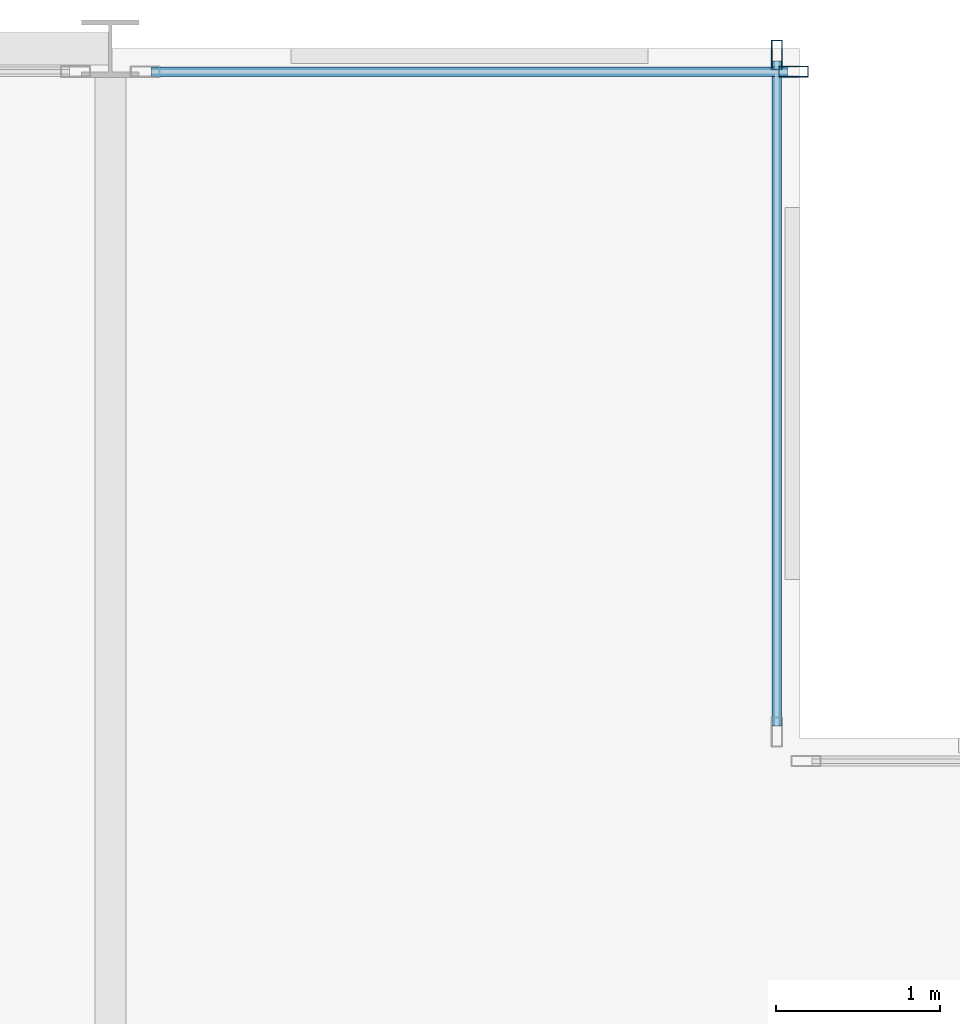
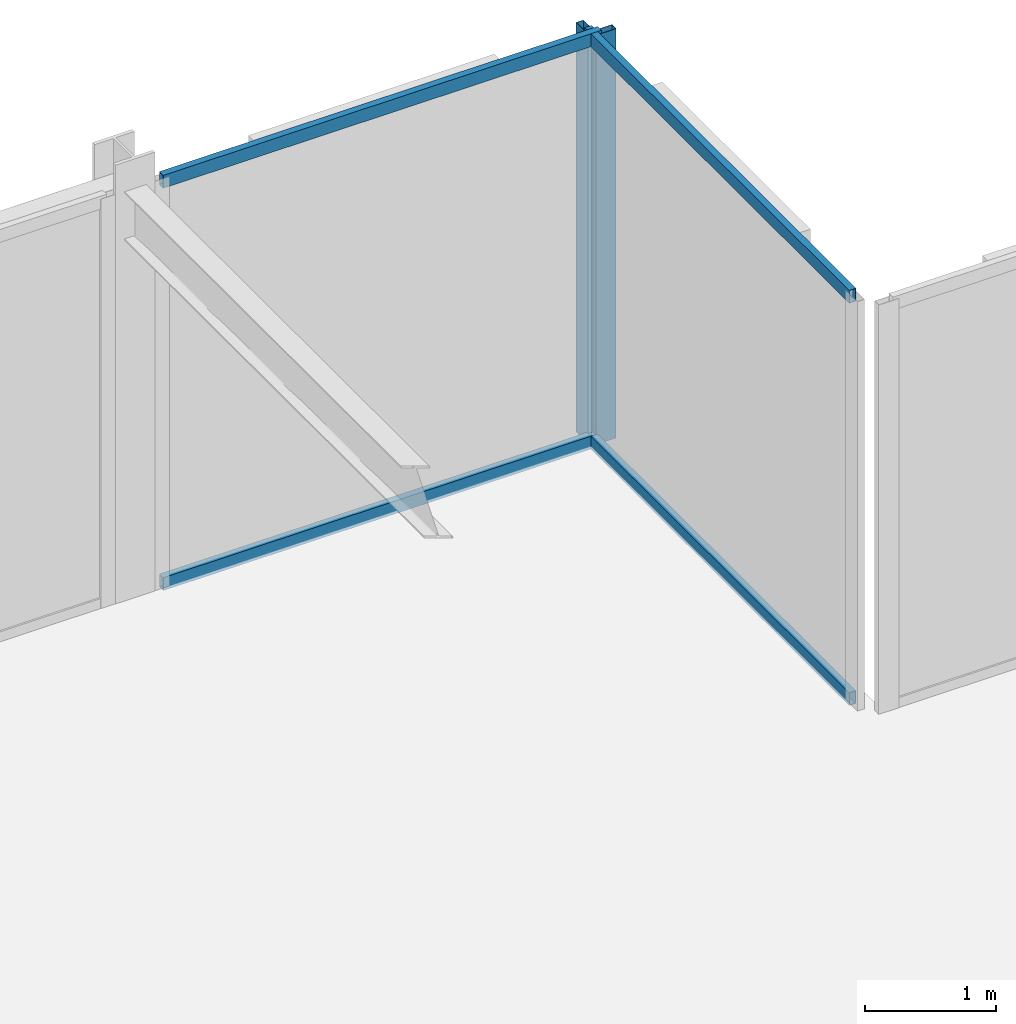
# One storey, part 21 of 29: 6 members, 2 elements without a shape of their own.
"""IFC4 building model written with IfcOpenShell, lengths in metres."""

from ifc_helpers import new_model, si_unit, direction, frame, origin, origin_2d, place, context, subcontext, project, spatial, hollow_rectangle, extrude, material, layer, layer_set, material_profile, profile_set, type_object, element, aggregate, save


model = new_model("IFC4")

# Units and contexts
model_context = context("Model", 3, precision=1e-05, world=origin(), true_north=direction((0.0, 1.0)))
body_context = subcontext(model_context, "Body", "Model", "MODEL_VIEW")
ifc_project = project(units=[si_unit("LENGTHUNIT", "METRE"), si_unit("AREAUNIT", "SQUARE_METRE"), si_unit("VOLUMEUNIT", "CUBIC_METRE"), si_unit("PLANEANGLEUNIT", "RADIAN"), si_unit("MASSUNIT", "GRAM", prefix="KILO")], contexts=[model_context])

# Site, building, storey
site_placement = place(None, origin())
site = spatial("IfcSite", under=ifc_project, at=site_placement, CompositionType="ELEMENT")
building_placement = place(site_placement, origin())
building = spatial("IfcBuilding", under=site, at=building_placement, Name="Nerrivon Quay Data Exchange", CompositionType="ELEMENT")
storey_placement = place(building_placement, frame((0.0, 0.0, 187.800048828125)))
storey = spatial("IfcBuildingStorey", under=building, at=storey_placement, Name="L44", CompositionType="ELEMENT", Elevation=187.800048828125)

# Curtain wall, member
ifc_material = material(Name="Anodised aluminium 6063-T6", Category="aluminium")
ifc_layer = layer(ifc_material, 0.195068359375)
ifc_layer_set = layer_set([ifc_layer], Name="Anodised aluminium 6063-T6")
curtain_wall_type = type_object("IfcCurtainWallType", Name="CW-SYS-06", PredefinedType="NOTDEFINED", material=ifc_layer_set)
curtain_wall_1_placement = place(storey_placement, origin())
curtain_wall_1 = element("IfcCurtainWall", 1, at=curtain_wall_1_placement, inside=storey, type_object=curtain_wall_type, Name="L44 Unitised Curtain Wall 10", PredefinedType="NOTDEFINED")
ifc_material_profile_1 = material_profile(ifc_material, hollow_rectangle(XDim=0.06494140625, YDim=0.179931640625, WallThickness=0.00341796875, at=origin_2d()), Name="ALU-MULL-180x65")
ifc_profile_set_1 = profile_set([ifc_material_profile_1], Name="Anodised aluminium 6063-T6")
member_type_1 = type_object("IfcMemberType", Name="CWM-180x65", PredefinedType="MULLION", material=ifc_profile_set_1)
member_1_placement = place(storey_placement, frame((20.96240234375, 50.260009765625, 0.0), z_axis=(0.0, 0.0, 1.0), x_axis=(0.0, 1.0, 0.0)))
member_1 = element("IfcMember", 2, at=member_1_placement, type_object=member_type_1, Name="CW06 mullion 2", PredefinedType="MULLION", context=body_context, shape_type="SweptSolid", body=[
    extrude(hollow_rectangle(XDim=0.06494140625, YDim=0.179931640625, WallThickness=0.00341796875, at=origin_2d()), origin(), (0.0, 0.0, 1.0), 3.824951171875),
])

curtain_wall_2_placement = place(storey_placement, origin())
curtain_wall_2 = element("IfcCurtainWall", 3, at=curtain_wall_2_placement, inside=storey, type_object=curtain_wall_type, Name="L44 Unitised Curtain Wall 11", PredefinedType="NOTDEFINED")
member_2_placement = place(storey_placement, frame((20.860107421875, 50.362548828125, 0.0), z_axis=(0.0, 0.0, 1.0), x_axis=(1.0, 0.0, 0.0)))
member_2 = element("IfcMember", 4, at=member_2_placement, type_object=member_type_1, Name="CW06 mullion 1", PredefinedType="MULLION", context=body_context, shape_type="SweptSolid", body=[
    extrude(hollow_rectangle(XDim=0.06494140625, YDim=0.179931640625, WallThickness=0.00341796875, at=origin_2d()), origin(), (0.0, 0.0, 1.0), 3.824951171875),
])

# Member
ifc_material_profile_2 = material_profile(ifc_material, hollow_rectangle(XDim=0.06005859375, YDim=0.1201171875, WallThickness=0.003173828125, at=origin_2d()), Name="ALU-TRAN-120x60")
ifc_profile_set_2 = profile_set([ifc_material_profile_2], Name="Anodised aluminium 6063-T6")
member_type_2 = type_object("IfcMemberType", Name="CWT-120x60", PredefinedType="USERDEFINED", material=ifc_profile_set_2)
member_3_placement = place(storey_placement, frame((17.050048828125, 50.260009765625, 0.032470703125), z_axis=(1.0, 0.0, 0.0), x_axis=(0.0, 1.0, 0.0)))
member_3 = element("IfcMember", 5, at=member_3_placement, type_object=member_type_2, Name="CW06 transom 1.1", ObjectType="TRANSOM", PredefinedType="USERDEFINED", context=body_context, shape_type="SweptSolid", body=[
    extrude(hollow_rectangle(XDim=0.06005859375, YDim=0.1201171875, WallThickness=0.003173828125, at=origin_2d()), origin(), (0.0, 0.0, 1.0), 3.875),
])

member_4_placement = place(storey_placement, frame((17.050048828125, 50.260009765625, 3.79248046875), z_axis=(1.0, 0.0, 0.0), x_axis=(0.0, 1.0, 0.0)))
member_4 = element("IfcMember", 6, at=member_4_placement, type_object=member_type_2, Name="CW06 transom 1.2", ObjectType="TRANSOM", PredefinedType="USERDEFINED", context=body_context, shape_type="SweptSolid", body=[
    extrude(hollow_rectangle(XDim=0.06005859375, YDim=0.1201171875, WallThickness=0.003173828125, at=origin_2d()), origin(), (0.0, 0.0, 1.0), 3.875),
])

aggregate(curtain_wall_1, [member_1, member_3, member_4])

member_5_placement = place(storey_placement, frame((20.860107421875, 50.324951171875, 0.032470703125), z_axis=(0.0, -1.0, 0.0), x_axis=(1.0, 0.0, 0.0)))
member_5 = element("IfcMember", 7, at=member_5_placement, type_object=member_type_2, Name="CW06 transom 1.1", ObjectType="TRANSOM", PredefinedType="USERDEFINED", context=body_context, shape_type="SweptSolid", body=[
    extrude(hollow_rectangle(XDim=0.06005859375, YDim=0.1201171875, WallThickness=0.003173828125, at=origin_2d()), origin(), (0.0, 0.0, 1.0), 4.050048828125),
])

member_6_placement = place(storey_placement, frame((20.860107421875, 50.324951171875, 3.79248046875), z_axis=(0.0, -1.0, 0.0), x_axis=(1.0, 0.0, 0.0)))
member_6 = element("IfcMember", 8, at=member_6_placement, type_object=member_type_2, Name="CW06 transom 1.2", ObjectType="TRANSOM", PredefinedType="USERDEFINED", context=body_context, shape_type="SweptSolid", body=[
    extrude(hollow_rectangle(XDim=0.06005859375, YDim=0.1201171875, WallThickness=0.003173828125, at=origin_2d()), origin(), (0.0, 0.0, 1.0), 4.050048828125),
])

aggregate(curtain_wall_2, [member_2, member_5, member_6])

save(model, "model.ifc")
